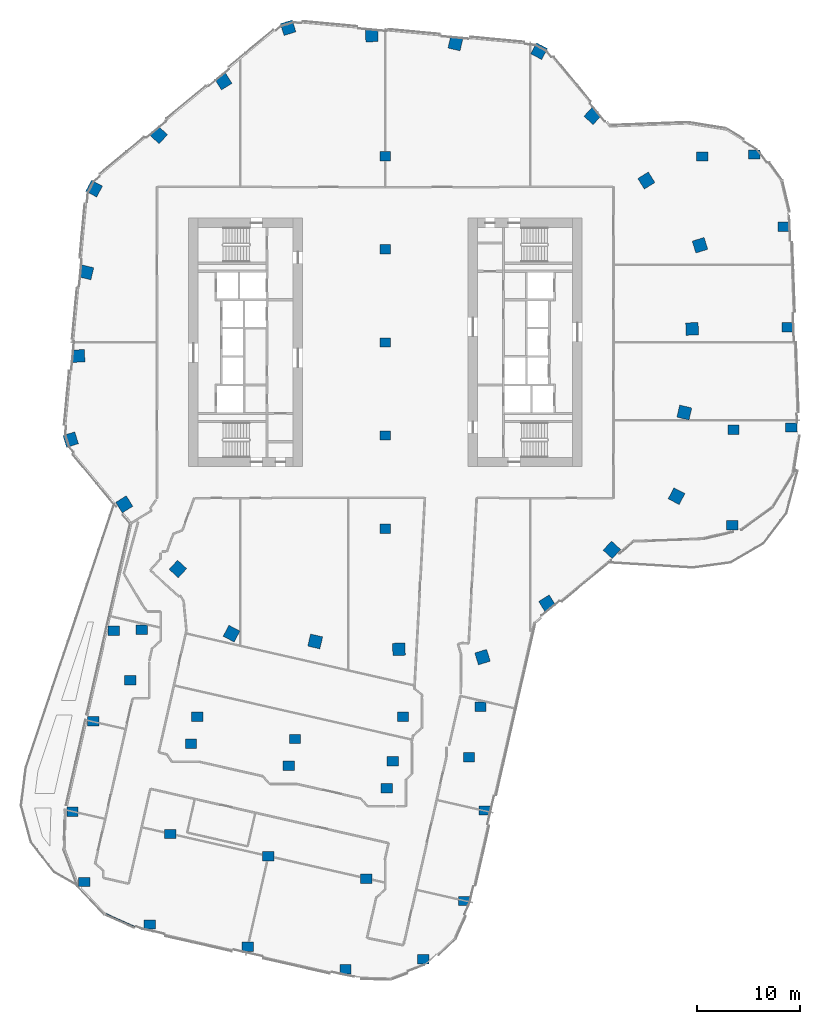
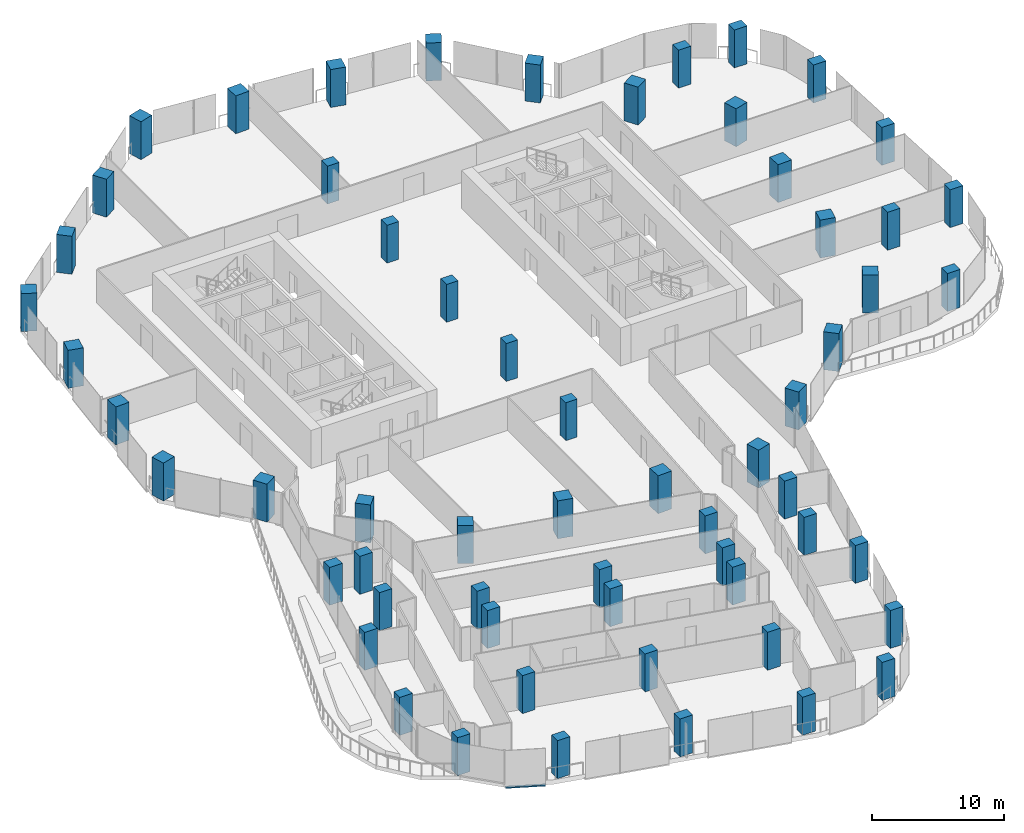
# One storey, part 1 of 28: 60 columns, 1 member, 1 element without a shape of its own.
"""IFC4 building model written with IfcOpenShell, lengths in metres."""

import ifcopenshell
import ifcopenshell.guid

model = None  # the IFC model being written
_history = None  # IfcOwnerHistory: only IFC2X3 demands one
_inside = {}  # id of a spatial element -> (the spatial element, [elements in it])
_under = {}  # id of a project, library or spatial element -> (it, [spatial elements below it])
_declared = {}  # id of a project -> (the project, [libraries it declares])
_typed = {}  # id of a type object -> (the type object, [elements of that type])
_made_of = {}  # id of a material, layer set ... -> (it, [elements and type objects made of it])


def new_model(schema):
    """Start an empty IFC model of exactly this schema.

    Asked for "IFC4X3", IfcOpenShell would pick the latest addendum, in which some entities
    have other attributes; the version numbers below select the first issue.
    IFC2X3 requires an IfcOwnerHistory on every rooted entity: one is made here for all.
    """
    global model, _history
    if schema == "IFC4X3":
        model = ifcopenshell.file(schema_version=(4, 3, 0, 0))
    else:
        model = ifcopenshell.file(schema=schema)
    _inside.clear()
    _under.clear()
    _declared.clear()
    _typed.clear()
    _made_of.clear()
    _history = None
    if model.schema == "IFC2X3":
        org = make("IfcOrganization", Name="unknown")
        user = make(
            "IfcPersonAndOrganization",
            ThePerson=make("IfcPerson", FamilyName="unknown"),
            TheOrganization=org,
        )
        app = make(
            "IfcApplication",
            ApplicationDeveloper=org,
            Version="unknown",
            ApplicationFullName="unknown",
            ApplicationIdentifier="unknown",
        )
        _history = make(
            "IfcOwnerHistory",
            OwningUser=user,
            OwningApplication=app,
            ChangeAction="ADDED",
            CreationDate=0,
        )
    return model


def make(cls, **values):
    """One entity of the class cls with the attributes given. An attribute that is None is left unset."""
    return model.create_entity(
        cls, **{name: value for name, value in values.items() if value is not None}
    )


def rooted(cls, **values):
    """An entity with a GlobalId (a new one), such as an element, a storey or a relation."""
    return make(cls, GlobalId=ifcopenshell.guid.new(), OwnerHistory=_history, **values)


def si_unit(unit_type, name, prefix=None):
    """IfcSIUnit, for example si_unit("LENGTHUNIT", "METRE", prefix="MILLI")."""
    return make("IfcSIUnit", UnitType=unit_type, Prefix=prefix, Name=name)


def assignment(units):
    """IfcUnitAssignment: the units of a project."""
    return None if units is None else make("IfcUnitAssignment", Units=units)


def point(xyz):
    """IfcCartesianPoint."""
    return None if xyz is None else make("IfcCartesianPoint", Coordinates=xyz)


def direction(xyz):
    """IfcDirection."""
    return None if xyz is None else make("IfcDirection", DirectionRatios=xyz)


def frame(location, z_axis=None, x_axis=None):
    """IfcAxis2Placement3D, a coordinate frame: its origin and axes. An axis left out is left unset."""
    return make(
        "IfcAxis2Placement3D",
        Location=point(location),
        Axis=direction(z_axis),
        RefDirection=direction(x_axis),
    )


def frame_2d(location, x_axis=None):
    """IfcAxis2Placement2D, a coordinate frame in the plane: its origin and x axis."""
    return make(
        "IfcAxis2Placement2D", Location=point(location), RefDirection=direction(x_axis)
    )


def origin():
    """The frame at (0, 0, 0) with its axes left unset."""
    return frame((0.0, 0.0, 0.0))


def origin_2d():
    """The frame at (0, 0) in the plane with its x axis left unset."""
    return frame_2d((0.0, 0.0))


def place(relative_to, where):
    """IfcLocalPlacement: puts the frame where relative to a parent placement (None: the world)."""
    return make(
        "IfcLocalPlacement", PlacementRelTo=relative_to, RelativePlacement=where
    )


def context(
    kind, dimensions, precision=None, world=None, true_north=None, identifier=None
):
    """IfcGeometricRepresentationContext, for example the 3D "Model" context."""
    return make(
        "IfcGeometricRepresentationContext",
        ContextIdentifier=identifier,
        ContextType=kind,
        CoordinateSpaceDimension=dimensions,
        Precision=precision,
        WorldCoordinateSystem=world,
        TrueNorth=true_north,
    )


def subcontext(parent, identifier, kind, view, scale=None):
    """IfcGeometricRepresentationSubContext, for example "Body" below "Model"."""
    return make(
        "IfcGeometricRepresentationSubContext",
        ContextIdentifier=identifier,
        ContextType=kind,
        ParentContext=parent,
        TargetScale=scale,
        TargetView=view,
    )


def project(units=None, contexts=None):
    """IfcProject with its units and contexts."""
    return rooted(
        "IfcProject",
        Name="project",
        RepresentationContexts=contexts,
        UnitsInContext=assignment(units),
    )


def spatial(cls, under=None, at=None, **own):
    """A site, building, storey or space (cls), placed at a placement, below another one or the project."""
    s = rooted(cls, ObjectPlacement=at, **own)
    if under is not None:
        _under.setdefault(under.id(), (under, []))[1].append(s)
    return s


def profile(cls, at=None, kind="AREA", **sizes):
    """A parametric profile (cls). Its sizes go by their IFC names, for example OverallWidth=200.0."""
    return make(cls, ProfileType=kind, Position=at, **sizes)


def rectangle(**sizes):
    """IfcRectangleProfileDef."""
    return profile("IfcRectangleProfileDef", **sizes)


def extrude(swept, where, along, depth):
    """IfcExtrudedAreaSolid: the profile swept, set in the frame where, extruded along a direction by depth."""
    return make(
        "IfcExtrudedAreaSolid",
        SweptArea=swept,
        Position=where,
        ExtrudedDirection=direction(along),
        Depth=depth,
    )


def shape(context_of_items, identifier, shape_type, items):
    """IfcShapeRepresentation: the items that make up one representation, for example the "Body"."""
    return make(
        "IfcShapeRepresentation",
        ContextOfItems=context_of_items,
        RepresentationIdentifier=identifier,
        RepresentationType=shape_type,
        Items=items,
    )


def material(Name=None, Category=None):
    """IfcMaterial."""
    return make("IfcMaterial", Name=Name, Category=Category)


def material_profile(
    of_material, cross_section, Name=None, Category=None, Priority=None
):
    """IfcMaterialProfile: a cross section and its material."""
    return make(
        "IfcMaterialProfile",
        Name=Name,
        Material=of_material,
        Profile=cross_section,
        Priority=Priority,
        Category=Category,
    )


def profile_set(profiles, Name=None, composite=None):
    """IfcMaterialProfileSet."""
    return make(
        "IfcMaterialProfileSet",
        Name=Name,
        MaterialProfiles=profiles,
        CompositeProfile=composite,
    )


def made_of(thing, what):
    """Note that an element or type object is made of a material, layer set ...; save() writes the relation."""
    if what is not None:
        _made_of.setdefault(what.id(), (what, []))[1].append(thing)
    return thing


def type_object(cls, material=None, **own):
    """A type object (cls), such as IfcWallType, which elements share."""
    return made_of(rooted(cls, **own), material)


def element(
    cls,
    number,
    at=None,
    inside=None,
    cuts=None,
    type_object=None,
    material=None,
    context=None,
    identifier="Body",
    shape_type=None,
    held_by="IfcProductDefinitionShape",
    body=None,
    shapes=None,
    **own,
):
    """One element of the class cls, such as IfcWall. Its Tag is "e" and its number.

    at: its placement. inside: the storey or other place that contains it. cuts: it is an
    opening in that element (IfcRelVoidsElement). A single representation is given by context,
    identifier, shape_type and body (its items); several are given by shapes. held_by: the class
    of the entity that holds the representations. save() writes the other relations.
    """
    e = rooted(cls, Tag="e%d" % number, ObjectPlacement=at, **own)
    if body is not None:
        shapes = [shape(context, identifier, shape_type, body)]
    if shapes is not None:
        e.Representation = make(held_by, Representations=shapes)
    if inside is not None:
        _inside.setdefault(inside.id(), (inside, []))[1].append(e)
    if cuts is not None:
        rooted(
            "IfcRelVoidsElement", RelatingBuildingElement=cuts, RelatedOpeningElement=e
        )
    if type_object is not None:
        _typed.setdefault(type_object.id(), (type_object, []))[1].append(e)
    return made_of(e, material)


def aggregate(whole, parts):
    """IfcRelAggregates: a whole, such as a stair, and the parts it consists of."""
    return rooted("IfcRelAggregates", RelatingObject=whole, RelatedObjects=parts)


def save(model, path):
    """Write the relations noted so far, then the file.

    IfcRelAggregates (storeys below a building ...), IfcRelContainedInSpatialStructure (elements
    in a storey), IfcRelDefinesByType, IfcRelAssociatesMaterial and IfcRelDeclares: one each for
    every whole, place, type object, material and project.
    """
    for whole, parts in _under.values():
        aggregate(whole, parts)
    for where, things in _inside.values():
        rooted(
            "IfcRelContainedInSpatialStructure",
            RelatedElements=things,
            RelatingStructure=where,
        )
    for kind, things in _typed.values():
        rooted("IfcRelDefinesByType", RelatedObjects=things, RelatingType=kind)
    for what, things in _made_of.values():
        rooted("IfcRelAssociatesMaterial", RelatedObjects=things, RelatingMaterial=what)
    for by, libraries in _declared.values():
        rooted("IfcRelDeclares", RelatingContext=by, RelatedDefinitions=libraries)
    model.write(path)


model = new_model("IFC4")

# Units and contexts
model_context = context("Model", 3, precision=1e-05, world=origin(), true_north=direction((0.0, 1.0)))
body_context = subcontext(model_context, "Body", "Model", "MODEL_VIEW")
ifc_project = project(units=[si_unit("LENGTHUNIT", "METRE"), si_unit("AREAUNIT", "SQUARE_METRE"), si_unit("VOLUMEUNIT", "CUBIC_METRE"), si_unit("PLANEANGLEUNIT", "RADIAN"), si_unit("MASSUNIT", "GRAM", prefix="KILO")], contexts=[model_context])

# Site, building, storey
site_placement = place(None, origin())
site = spatial("IfcSite", under=ifc_project, at=site_placement, CompositionType="ELEMENT")
building_placement = place(site_placement, origin())
building = spatial("IfcBuilding", under=site, at=building_placement, Name="Orlundy Tower", CompositionType="ELEMENT")
storey_placement = place(building_placement, frame((0.0, 0.0, 167.10009765625)))
storey = spatial("IfcBuildingStorey", under=building, at=storey_placement, Name="L43", CompositionType="ELEMENT", Elevation=167.10009765625)

# Columns
ifc_material_1 = material(Name="Concrete C70/85", Category="concrete")
ifc_material_profile_1 = material_profile(ifc_material_1, rectangle(XDim=1.0, YDim=0.89990234375, at=origin_2d()), Name="RC1000X900")
ifc_profile_set_1 = profile_set([ifc_material_profile_1], Name="Concrete C70/85")
column_type_1 = type_object("IfcColumnType", Name="RC COLUMN RC1000X900 C70/85", PredefinedType="COLUMN", material=ifc_profile_set_1)
for number, where, z_axis, x_axis, name in (
    (1, (0.0, -18.0, 0.0), (0.0, 0.0, 1.0), (1.0, 0.0, 0.0), "Column C-M1 L43"),
    (2, (0.0, -9.0, 0.0), (0.0, 0.0, 1.0), (1.0, 0.0, 0.0), "Column C-M2 L43"),
    (3, (0.0, 0.0, 0.0), (0.0, 0.0, 1.0), (1.0, 0.0, 0.0), "Column C-M3 L43"),
    (4, (0.0, 9.0, 0.0), (0.0, 0.0, 1.0), (1.0, 0.0, 0.0), "Column C-M4 L43"),
    (5, (0.0, 18.0, 0.0), (0.0, 0.0, 1.0), (1.0, 0.0, 0.0), "Column C-M5 L43"),
):
    element("IfcColumn", number, at=place(storey_placement, frame(where, z_axis=z_axis, x_axis=x_axis)), inside=storey, type_object=column_type_1, Name=name, PredefinedType="COLUMN", context=body_context, shape_type="SweptSolid", body=[
        extrude(rectangle(XDim=1.0, YDim=0.89990234375, at=origin_2d()), origin(), (0.0, 0.0, 1.0), 3.5),
    ])
ifc_material_2 = material(Name="Concrete C70/85", Category="concrete")
ifc_material_profile_2 = material_profile(ifc_material_2, rectangle(XDim=1.10009765625, YDim=0.89990234375, at=origin_2d()), Name="RC1100X900")
ifc_profile_set_2 = profile_set([ifc_material_profile_2], Name="Concrete C70/85")
column_type_2 = type_object("IfcColumnType", Name="RC COLUMN RC1100X900 C70/85", PredefinedType="COLUMN", material=ifc_profile_set_2)
for number, where, z_axis, x_axis, name in (
    (6, (33.534912109375, -17.678955078125, 0.0), (0.0, 0.0, 1.0), (1.0, 0.0, 0.0), "Column C-A1-1 L43"),
    (7, (39.239013671875, -8.221923828125, 0.0), (0.0, 0.0, 1.0), (1.0, 0.0, 0.0), "Column C-A2-5 L43"),
    (8, (33.64306640625, -8.43408203125, 0.0), (0.0, 0.0, 1.0), (1.0, 0.0, 0.0), "Column C-A2-6 L43"),
    (9, (38.8720703125, 1.470947265625, 0.0), (0.0, 0.0, 1.0), (1.0, 0.0, 0.0), "Column C-A3-5 L43"),
    (10, (38.5048828125, 11.1640625, 0.0), (0.0, 0.0, 1.0), (1.0, 0.0, 0.0), "Column C-A4-5 L43"),
    (11, (35.632080078125, 18.153076171875, 0.0), (0.0, 0.0, 1.0), (1.0, 0.0, 0.0), "Column C-A5-5 L43"),
    (12, (30.635986328125, 17.964111328125, 0.0), (0.0, 0.0, 1.0), (1.0, 0.0, 0.0), "Column C-A5-6 L43"),
    (13, (-26.2451171875, -27.866943359375, 0.0), (0.0, 0.0, 1.0), (1.0, 0.0, 0.0), "Column C-B1-1 L43"),
    (14, (-28.237060546875, -36.60888671875, 0.0), (0.0, 0.0, 1.0), (1.0, 0.0, 0.0), "Column C-B1-2 L43"),
    (15, (-30.22802734375, -45.35205078125, 0.0), (0.0, 0.0, 1.0), (1.0, 0.0, 0.0), "Column C-B1-3 L43"),
    (16, (-29.09912109375, -52.132080078125, 0.0), (0.0, 0.0, 1.0), (1.0, 0.0, 0.0), "Column C-B1-5 L43"),
    (17, (-24.656982421875, -32.632080078125, 0.0), (0.0, 0.0, 1.0), (1.0, 0.0, 0.0), "Column C-B1-6 L43"),
    (18, (-23.547119140625, -27.757080078125, 0.0), (0.0, 0.0, 1.0), (1.0, 0.0, 0.0), "Column C-B1-7 L43"),
    (19, (-18.779052734375, -38.763916015625, 0.0), (0.0, 0.0, 1.0), (1.0, 0.0, 0.0), "Column C-B2-2 L43"),
    (20, (-20.77099609375, -47.507080078125, 0.0), (0.0, 0.0, 1.0), (1.0, 0.0, 0.0), "Column C-B2-3 L43"),
    (21, (-22.761962890625, -56.2490234375, 0.0), (0.0, 0.0, 1.0), (1.0, 0.0, 0.0), "Column C-B2-5 L43"),
    (22, (-18.18701171875, -36.1640625, 0.0), (0.0, 0.0, 1.0), (1.0, 0.0, 0.0), "Column C-B2-6 L43"),
    (23, (-9.321044921875, -40.91796875, 0.0), (0.0, 0.0, 1.0), (1.0, 0.0, 0.0), "Column C-B3-2 L43"),
    (24, (-11.31298828125, -49.660888671875, 0.0), (0.0, 0.0, 1.0), (1.0, 0.0, 0.0), "Column C-B3-3 L43"),
    (25, (-13.304931640625, -58.404052734375, 0.0), (0.0, 0.0, 1.0), (1.0, 0.0, 0.0), "Column C-B3-5 L43"),
    (26, (-8.72900390625, -38.318115234375, 0.0), (0.0, 0.0, 1.0), (1.0, 0.0, 0.0), "Column C-B3-6 L43"),
    (27, (0.135986328125, -43.072998046875, 0.0), (0.0, 0.0, 1.0), (1.0, 0.0, 0.0), "Column C-B4-2 L43"),
    (28, (-1.85498046875, -51.81591796875, 0.0), (0.0, 0.0, 1.0), (1.0, 0.0, 0.0), "Column C-B4-3 L43"),
    (29, (-3.846923828125, -60.55810546875, 0.0), (0.0, 0.0, 1.0), (1.0, 0.0, 0.0), "Column C-B4-5 L43"),
    (30, (0.72900390625, -40.472900390625, 0.0), (0.0, 0.0, 1.0), (1.0, 0.0, 0.0), "Column C-B4-6 L43"),
    (31, (1.7060546875, -36.18310546875, 0.0), (0.0, 0.0, 1.0), (1.0, 0.0, 0.0), "Column C-B4-7 L43"),
    (32, (9.593994140625, -45.22705078125, 0.0), (0.0, 0.0, 1.0), (1.0, 0.0, 0.0), "Column C-B5-2 L43"),
    (33, (7.60205078125, -53.969970703125, 0.0), (0.0, 0.0, 1.0), (1.0, 0.0, 0.0), "Column C-B5-3 L43"),
    (34, (3.64794921875, -59.592041015625, 0.0), (0.0, 0.0, 1.0), (1.0, 0.0, 0.0), "Column C-B5-5 L43"),
    (35, (8.090087890625, -40.092041015625, 0.0), (0.0, 0.0, 1.0), (1.0, 0.0, 0.0), "Column C-B5-6 L43"),
    (36, (9.200927734375, -35.217041015625, 0.0), (0.0, 0.0, 1.0), (1.0, 0.0, 0.0), "Column C-B5-7 L43"),
):
    element("IfcColumn", number, at=place(storey_placement, frame(where, z_axis=z_axis, x_axis=x_axis)), inside=storey, type_object=column_type_2, Name=name, PredefinedType="COLUMN", context=body_context, shape_type="SweptSolid", body=[
        extrude(rectangle(XDim=1.10009765625, YDim=0.89990234375, at=origin_2d()), origin(), (0.0, 0.0, 1.0), 3.5),
    ])
ifc_material_3 = material(Name="Concrete C70/85", Category="concrete")
ifc_material_profile_3 = material_profile(ifc_material_3, rectangle(XDim=1.199951171875, YDim=1.199951171875, at=origin_2d()), Name="RC1200X1200")
ifc_profile_set_3 = profile_set([ifc_material_profile_3], Name="Concrete C70/85")
column_type_3 = type_object("IfcColumnType", Name="RC COLUMN RC1200X1200 C70/85", PredefinedType="COLUMN", material=ifc_profile_set_3)
for number, where, z_axis, x_axis, name in (
    (37, (14.85791015625, 28.14111328125, 0.0), (0.0, 0.0, 1.0), (0.466896045022, 0.884312209088, 0.0), "Column C-H01 L43"),
    (38, (20.0400390625, 21.89111328125, 0.0), (0.0, 0.0, 1.0), (0.675229825281, 0.737607404417, 0.0), "Column C-H02 L43"),
    (39, (25.221923828125, 15.64208984375, 0.0), (0.0, 0.0, 1.0), (0.849837505645, 0.527044793162, 0.0), "Column C-H03 L43"),
    (40, (30.405029296875, 9.39208984375, 0.0), (0.0, 0.0, 1.0), (0.955453670607, 0.295141124421, 0.0), "Column C-H04 L43"),
    (41, (29.64990234375, 1.30908203125, 0.0), (0.0, 0.0, 1.0), (0.999026785832, 0.044107609201, 0.0), "Column C-H05 L43"),
    (42, (28.89501953125, -6.77392578125, 0.0), (0.0, 0.0, 1.0), (0.973602810382, -0.228248915914, 0.0), "Column C-H06 L43"),
    (43, (28.14111328125, -14.85791015625, 0.0), (0.0, 0.0, 1.0), (0.884312209088, -0.466896045022, 0.0), "Column C-H07 L43"),
    (44, (21.89111328125, -20.0400390625, 0.0), (0.0, 0.0, 1.0), (0.737607404417, -0.675229825281, 0.0), "Column C-H08 L43"),
    (45, (15.64208984375, -25.221923828125, 0.0), (0.0, 0.0, 1.0), (0.527044793162, -0.849837505645, 0.0), "Column C-H09 L43"),
    (46, (9.39208984375, -30.405029296875, 0.0), (0.0, 0.0, 1.0), (0.295141124421, -0.955453670607, 0.0), "Column C-H10 L43"),
    (47, (1.30908203125, -29.64990234375, 0.0), (0.0, 0.0, 1.0), (0.044107609201, -0.999026785832, 0.0), "Column C-H11 L43"),
    (48, (-6.77392578125, -28.89501953125, 0.0), (0.0, 0.0, 1.0), (-0.228248915914, -0.973602810382, 0.0), "Column C-H12 L43"),
    (49, (-14.85791015625, -28.14111328125, 0.0), (0.0, 0.0, 1.0), (-0.466896045022, -0.884312209088, 0.0), "Column C-H13 L43"),
    (50, (-20.0400390625, -21.89111328125, 0.0), (0.0, 0.0, 1.0), (-0.675229825281, -0.737607404417, 0.0), "Column C-H14 L43"),
    (51, (-25.221923828125, -15.64208984375, 0.0), (0.0, 0.0, 1.0), (-0.849837505645, -0.527044793162, 0.0), "Column C-H15 L43"),
    (52, (-30.405029296875, -9.39208984375, 0.0), (0.0, 0.0, 1.0), (-0.955453670607, -0.295141124421, 0.0), "Column C-H16 L43"),
    (53, (-29.64990234375, -1.30908203125, 0.0), (0.0, 0.0, 1.0), (-0.999026785832, -0.044107609201, 0.0), "Column C-H17 L43"),
    (54, (-28.89501953125, 6.77392578125, 0.0), (0.0, 0.0, 1.0), (-0.973602810382, 0.228248915914, 0.0), "Column C-H18 L43"),
    (55, (-28.14111328125, 14.85791015625, 0.0), (0.0, 0.0, 1.0), (-0.884312209088, 0.466896045022, 0.0), "Column C-H19 L43"),
    (56, (-21.89111328125, 20.0400390625, 0.0), (0.0, 0.0, 1.0), (-0.737607404417, 0.675229825281, 0.0), "Column C-H20 L43"),
    (57, (-15.64208984375, 25.221923828125, 0.0), (0.0, 0.0, 1.0), (-0.527044793162, 0.849837505645, 0.0), "Column C-H21 L43"),
    (58, (-9.39208984375, 30.405029296875, 0.0), (0.0, 0.0, 1.0), (-0.295141124421, 0.955453670607, 0.0), "Column C-H22 L43"),
    (59, (-1.30908203125, 29.64990234375, 0.0), (0.0, 0.0, 1.0), (-0.044107609201, 0.999026785832, 0.0), "Column C-H23 L43"),
    (60, (6.77392578125, 28.89501953125, 0.0), (0.0, 0.0, 1.0), (0.228248915914, 0.973602810382, 0.0), "Column C-H24 L43"),
):
    element("IfcColumn", number, at=place(storey_placement, frame(where, z_axis=z_axis, x_axis=x_axis)), inside=storey, type_object=column_type_3, Name=name, PredefinedType="COLUMN", context=body_context, shape_type="SweptSolid", body=[
        extrude(rectangle(XDim=1.199951171875, YDim=1.199951171875, at=origin_2d()), origin(), (0.0, 0.0, 1.0), 3.5),
    ])

# Curtain wall, member
ifc_material_4 = material(Name="Aluminium bronze anodised", Category="aluminium")
curtain_wall_type = type_object("IfcCurtainWallType", Name="CW1 wall", PredefinedType="NOTDEFINED", material=ifc_material_4)
curtain_wall_placement = place(storey_placement, origin())
curtain_wall = element("IfcCurtainWall", 61, at=curtain_wall_placement, inside=storey, type_object=curtain_wall_type, Name="CW1 run 024", PredefinedType="NOTDEFINED")
ifc_material_5 = material(Name="Aluminium bronze anodised", Category="aluminium")
ifc_material_profile_4 = material_profile(ifc_material_5, rectangle(XDim=0.179931640625, YDim=0.1201171875, at=origin_2d()), Name="CW1 transom 180x120")
ifc_profile_set_4 = profile_set([ifc_material_profile_4], Name="Aluminium bronze anodised")
member_type = type_object("IfcMemberType", Name="CW1 transom 180x120", PredefinedType="USERDEFINED", material=ifc_profile_set_4)
member_placement = place(storey_placement, frame((-24.234130859375, -56.506103515625, -0.360107421875), z_axis=(-0.912893463011, 0.408197899544, 0.0), x_axis=(-0.408197899544, -0.912893463011, 0.0)))
member = element("IfcMember", 62, at=member_placement, type_object=member_type, Name="CW1 transom", ObjectType="TRANSOM", PredefinedType="USERDEFINED", context=body_context, shape_type="SweptSolid", body=[
    extrude(rectangle(XDim=0.179931640625, YDim=0.1201171875, at=origin_2d()), origin(), (0.0, 0.0, 1.0), 3.05615234375),
])
aggregate(curtain_wall, [member])

save(model, "model.ifc")
